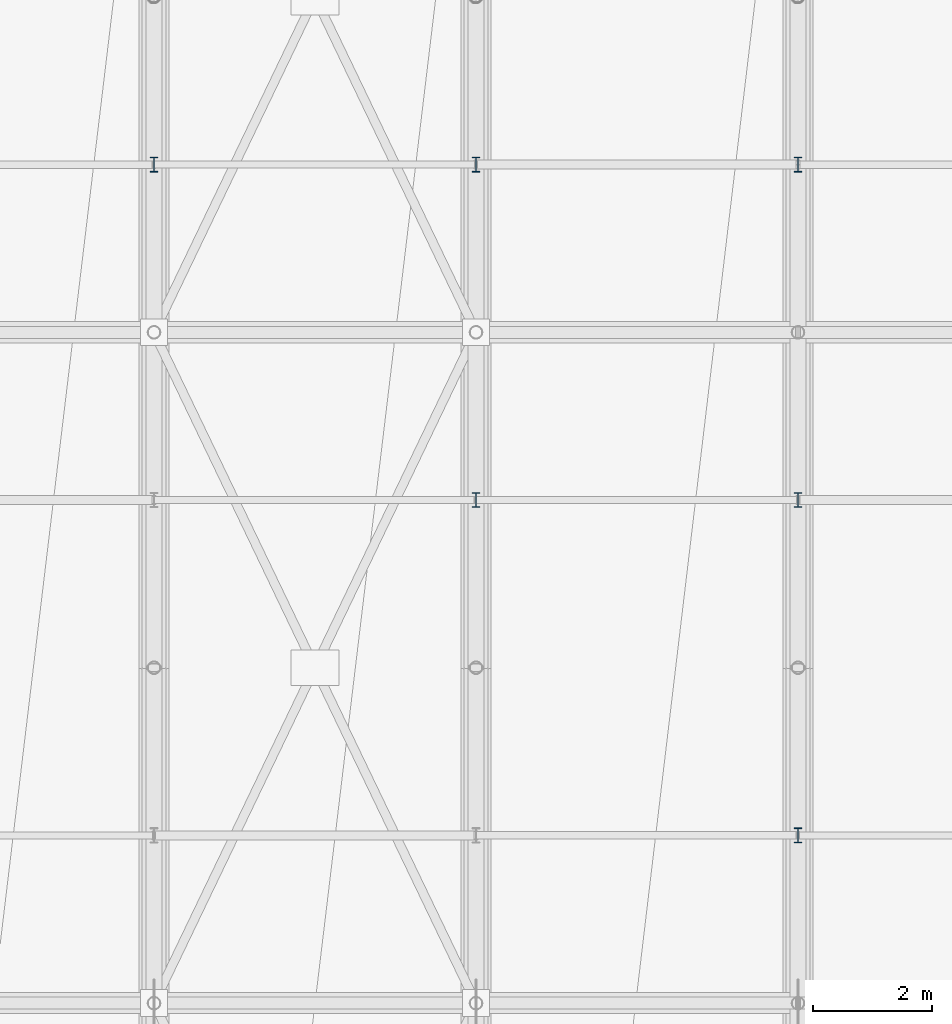
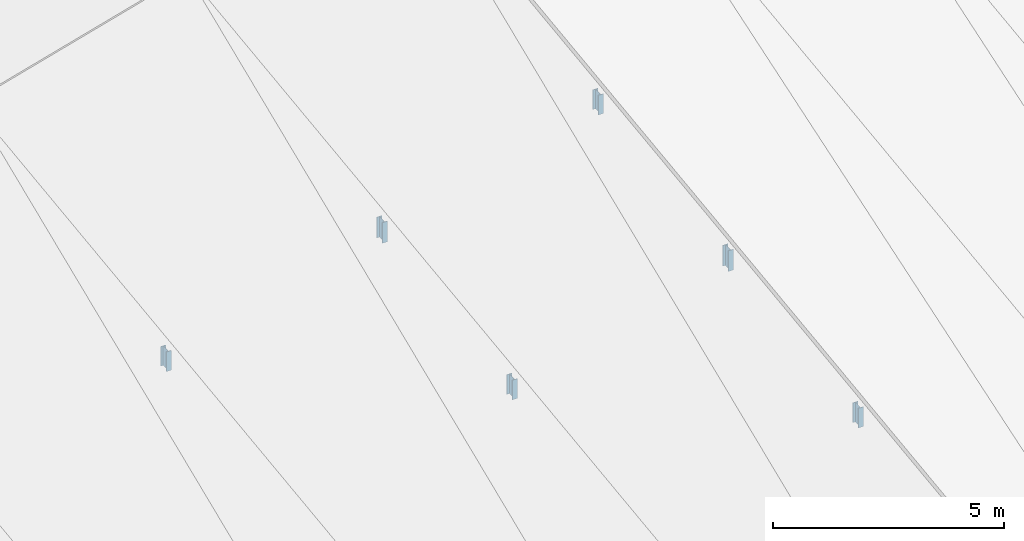
# One storey, part 63 of 109: 6 members.
"""IFC4 building model written with IfcOpenShell, lengths in metres."""

from ifc_helpers import new_model, si_unit, direction, frame, origin, origin_2d, place, context, subcontext, project, spatial, i_section, extrude, material, material_profile, profile_set, type_object, element, save


model = new_model("IFC4")

# Units and contexts
model_context = context("Model", 3, precision=1e-05, world=origin(), true_north=direction((0.0, 1.0)))
body_context = subcontext(model_context, "Body", "Model", "MODEL_VIEW")
ifc_project = project(units=[si_unit("LENGTHUNIT", "METRE"), si_unit("AREAUNIT", "SQUARE_METRE"), si_unit("VOLUMEUNIT", "CUBIC_METRE"), si_unit("PLANEANGLEUNIT", "RADIAN"), si_unit("MASSUNIT", "GRAM", prefix="KILO")], contexts=[model_context])

# Site, building, storey
site_placement = place(None, origin())
site = spatial("IfcSite", under=ifc_project, at=site_placement, CompositionType="ELEMENT")
building_placement = place(site_placement, origin())
building = spatial("IfcBuilding", under=site, at=building_placement, Name="Suirenkawa Promenade Aquatics Centre", CompositionType="ELEMENT")
storey_placement = place(building_placement, frame((0.0, 0.0, 22.800048828125)))
storey = spatial("IfcBuildingStorey", under=building, at=storey_placement, Name="ROOF", CompositionType="ELEMENT", Elevation=22.800048828125)

# Members
ifc_material = material(Name="Steel IS 2062 E350 (Grade 350)", Category="steel")
ifc_material_profile = material_profile(ifc_material, i_section(OverallWidth=0.125, OverallDepth=0.25, WebThickness=0.007080078125, FlangeThickness=0.012939453125, at=origin_2d()), Name="ISMB 250", Category="steel")
ifc_profile_set = profile_set([ifc_material_profile], Name="Steel IS 2062 E350 (Grade 350)")
member_type = type_object("IfcMemberType", Name="MT-WEB-CHS168", PredefinedType="BRACE", material=ifc_profile_set)
member_1_placement = place(storey_placement, frame((57.60009765625, 86.962890625, -7.507080078125), z_axis=(0.0, 0.0, 1.0), x_axis=(1.0, 0.0, 0.0)))
element("IfcMember", 1, at=member_1_placement, inside=storey, type_object=member_type, Name="ROOF TRUSS Purlin cleat post TD-03 MB-1738", PredefinedType="BRACE", context=body_context, shape_type="SweptSolid", body=[
    extrude(i_section(OverallWidth=0.125, OverallDepth=0.25, WebThickness=0.007080078125, FlangeThickness=0.012939453125, at=origin_2d()), origin(), (0.0, 0.0, 1.0), 0.52001953125),
])
member_2_placement = place(storey_placement, frame((63.0, 81.337890625, -6.73193359375), z_axis=(0.0, 0.0, 1.0), x_axis=(1.0, 0.0, 0.0)))
element("IfcMember", 2, at=member_2_placement, inside=storey, type_object=member_type, Name="ROOF TRUSS Purlin cleat post TD-03 MB-1772", PredefinedType="BRACE", context=body_context, shape_type="SweptSolid", body=[
    extrude(i_section(OverallWidth=0.125, OverallDepth=0.25, WebThickness=0.007080078125, FlangeThickness=0.012939453125, at=origin_2d()), origin(), (0.0, 0.0, 1.0), 0.519775390625),
])
member_3_placement = place(storey_placement, frame((63.0, 86.962890625, -6.007080078125), z_axis=(0.0, 0.0, 1.0), x_axis=(1.0, 0.0, 0.0)))
element("IfcMember", 3, at=member_3_placement, inside=storey, type_object=member_type, Name="ROOF TRUSS Purlin cleat post TD-03 MB-1774", PredefinedType="BRACE", context=body_context, shape_type="SweptSolid", body=[
    extrude(i_section(OverallWidth=0.125, OverallDepth=0.25, WebThickness=0.007080078125, FlangeThickness=0.012939453125, at=origin_2d()), origin(), (0.0, 0.0, 1.0), 0.546142578125),
])
member_4_placement = place(storey_placement, frame((68.39990234375, 75.712890625, -5.95703125), z_axis=(0.0, 0.0, 1.0), x_axis=(1.0, 0.0, 0.0)))
element("IfcMember", 4, at=member_4_placement, inside=storey, type_object=member_type, Name="ROOF TRUSS Purlin cleat post TD-03 MB-1806", PredefinedType="BRACE", context=body_context, shape_type="SweptSolid", body=[
    extrude(i_section(OverallWidth=0.125, OverallDepth=0.25, WebThickness=0.007080078125, FlangeThickness=0.012939453125, at=origin_2d()), origin(), (0.0, 0.0, 1.0), 0.52001953125),
])
member_5_placement = place(storey_placement, frame((68.39990234375, 81.337890625, -5.23193359375), z_axis=(0.0, 0.0, 1.0), x_axis=(1.0, 0.0, 0.0)))
element("IfcMember", 5, at=member_5_placement, inside=storey, type_object=member_type, Name="ROOF TRUSS Purlin cleat post TD-03 MB-1808", PredefinedType="BRACE", context=body_context, shape_type="SweptSolid", body=[
    extrude(i_section(OverallWidth=0.125, OverallDepth=0.25, WebThickness=0.007080078125, FlangeThickness=0.012939453125, at=origin_2d()), origin(), (0.0, 0.0, 1.0), 0.5458984375),
])
member_6_placement = place(storey_placement, frame((68.39990234375, 86.962890625, -4.507080078125), z_axis=(0.0, 0.0, 1.0), x_axis=(1.0, 0.0, 0.0)))
element("IfcMember", 6, at=member_6_placement, inside=storey, type_object=member_type, Name="ROOF TRUSS Purlin cleat post TD-03 MB-1810", PredefinedType="BRACE", context=body_context, shape_type="SweptSolid", body=[
    extrude(i_section(OverallWidth=0.125, OverallDepth=0.25, WebThickness=0.007080078125, FlangeThickness=0.012939453125, at=origin_2d()), origin(), (0.0, 0.0, 1.0), 0.51904296875),
])

save(model, "model.ifc")
